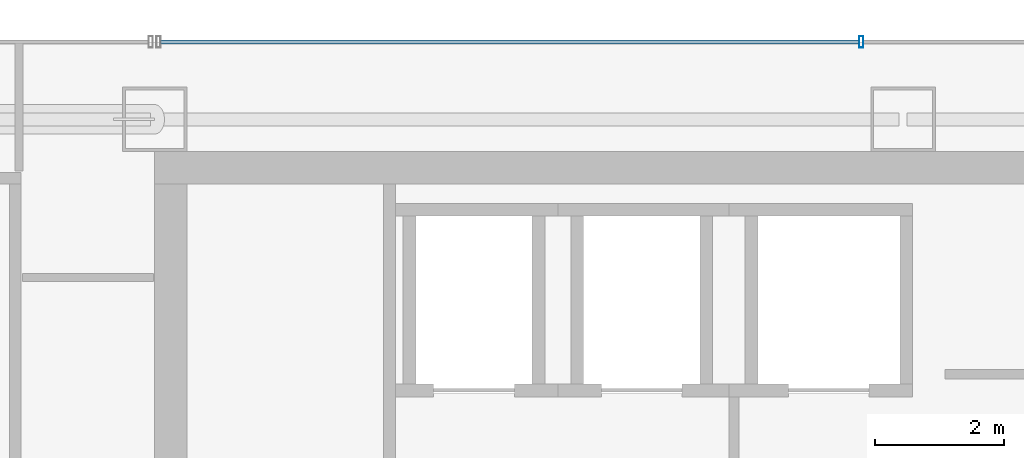
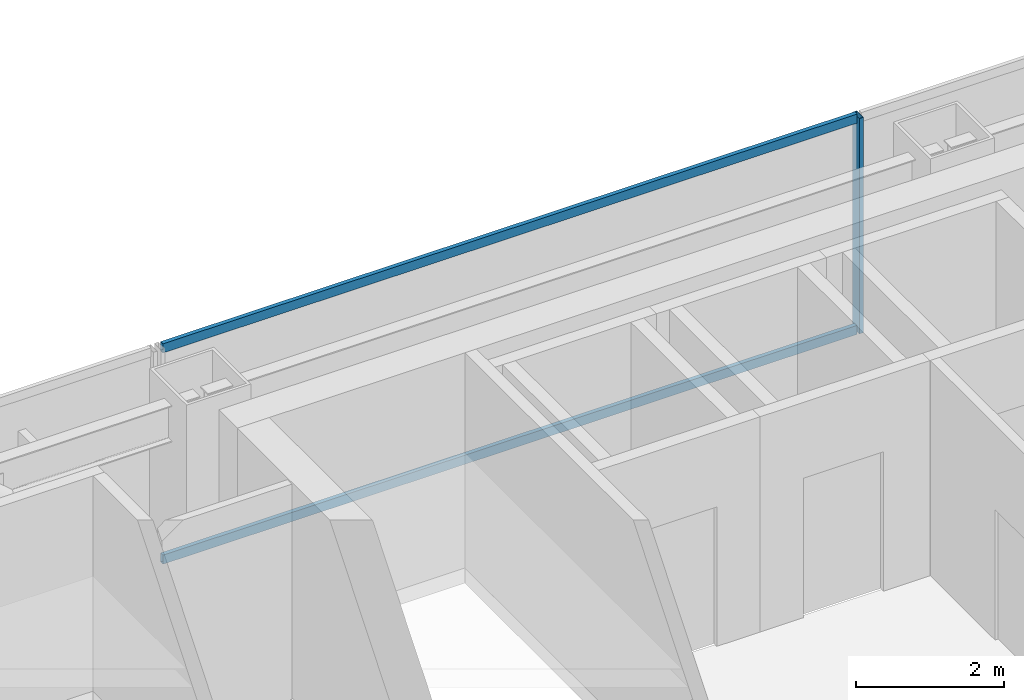
# One storey, part 23 of 37: 3 members, 1 element without a shape of its own.
"""IFC4 building model written with IfcOpenShell, lengths in metres."""

from ifc_helpers import new_model, si_unit, direction, frame, origin, origin_2d, place, context, subcontext, project, spatial, hollow_rectangle, extrude, material, material_profile, profile_set, type_object, element, aggregate, save


model = new_model("IFC4")

# Units and contexts
model_context = context("Model", 3, precision=1e-05, world=origin(), true_north=direction((0.0, 1.0)))
body_context = subcontext(model_context, "Body", "Model", "MODEL_VIEW")
ifc_project = project(units=[si_unit("LENGTHUNIT", "METRE"), si_unit("AREAUNIT", "SQUARE_METRE"), si_unit("VOLUMEUNIT", "CUBIC_METRE"), si_unit("PLANEANGLEUNIT", "RADIAN"), si_unit("MASSUNIT", "GRAM", prefix="KILO")], contexts=[model_context])

# Site, building, storey
site_placement = place(None, origin())
site = spatial("IfcSite", under=ifc_project, at=site_placement, CompositionType="ELEMENT")
building_placement = place(site_placement, origin())
building = spatial("IfcBuilding", under=site, at=building_placement, Name="Saevonmaru Cultural Tower", CompositionType="ELEMENT")
storey_placement = place(building_placement, frame((0.0, 0.0, 163.800048828125)))
storey = spatial("IfcBuildingStorey", under=building, at=storey_placement, Name="L36", CompositionType="ELEMENT", Elevation=163.800048828125)

# Curtain wall, members
ifc_material = material(Name="Satin Bronze Anodised Aluminium", Category="aluminium")
curtain_wall_type = type_object("IfcCurtainWallType", Name="CW-TYP-A", PredefinedType="NOTDEFINED", material=ifc_material)
curtain_wall_placement = place(storey_placement, origin())
curtain_wall = element("IfcCurtainWall", 1, at=curtain_wall_placement, inside=storey, type_object=curtain_wall_type, Name="L36 North Spine Unitised Curtain Wall E10B", PredefinedType="NOTDEFINED")
ifc_material_profile_1 = material_profile(ifc_material, hollow_rectangle(XDim=0.06494140625, YDim=0.179931640625, WallThickness=0.00390625, at=origin_2d()), Name="ALU-MULL-180x65x4")
ifc_profile_set_1 = profile_set([ifc_material_profile_1], Name="Satin Bronze Anodised Aluminium")
member_type_1 = type_object("IfcMemberType", Name="ML-CW-180x65", PredefinedType="MULLION", material=ifc_profile_set_1)
member_1_placement = place(storey_placement, frame((24.55322265625, 56.0, 0.0), z_axis=(0.0, 0.0, 1.0), x_axis=(-1.0, 0.0, 0.0)))
member_1 = element("IfcMember", 2, at=member_1_placement, type_object=member_type_1, Name="CW-TW-L36-E10B mullion 3", PredefinedType="MULLION", context=body_context, shape_type="SweptSolid", body=[
    extrude(hollow_rectangle(XDim=0.06494140625, YDim=0.179931640625, WallThickness=0.00390625, at=origin_2d()), origin(), (0.0, 0.0, 1.0), 3.550048828125),
])
ifc_material_profile_2 = material_profile(ifc_material, hollow_rectangle(XDim=0.06494140625, YDim=0.14990234375, WallThickness=0.00390625, at=origin_2d()), Name="ALU-TRAN-150x65x4")
ifc_profile_set_2 = profile_set([ifc_material_profile_2], Name="Satin Bronze Anodised Aluminium")
member_type_2 = type_object("IfcMemberType", Name="TR-CW-150x65", PredefinedType="USERDEFINED", material=ifc_profile_set_2)
member_2_placement = place(storey_placement, frame((24.520751953125, 56.0, 0.032470703125), z_axis=(-1.0, 0.0, 0.0), x_axis=(0.0, -1.0, 0.0)))
member_2 = element("IfcMember", 3, at=member_2_placement, type_object=member_type_2, Name="CW-TW-L36-E10B transom 3.1", ObjectType="TRANSOM", PredefinedType="USERDEFINED", context=body_context, shape_type="SweptSolid", body=[
    extrude(hollow_rectangle(XDim=0.06494140625, YDim=0.14990234375, WallThickness=0.00390625, at=origin_2d()), origin(), (0.0, 0.0, 1.0), 10.828369140625),
])
member_3_placement = place(storey_placement, frame((24.520751953125, 56.0, 3.517333984375), z_axis=(-1.0, 0.0, 0.0), x_axis=(0.0, -1.0, 0.0)))
member_3 = element("IfcMember", 4, at=member_3_placement, type_object=member_type_2, Name="CW-TW-L36-E10B transom 3.2", ObjectType="TRANSOM", PredefinedType="USERDEFINED", context=body_context, shape_type="SweptSolid", body=[
    extrude(hollow_rectangle(XDim=0.06494140625, YDim=0.14990234375, WallThickness=0.00390625, at=origin_2d()), origin(), (0.0, 0.0, 1.0), 10.828369140625),
])
aggregate(curtain_wall, [member_1, member_2, member_3])

save(model, "model.ifc")
